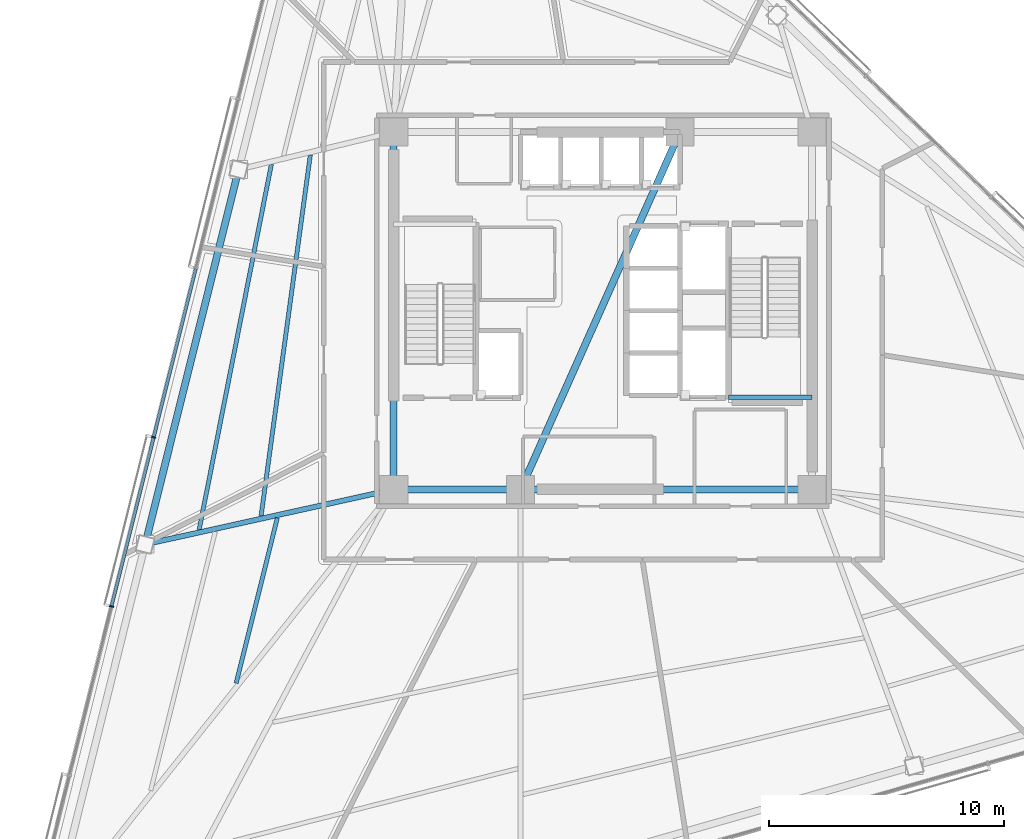
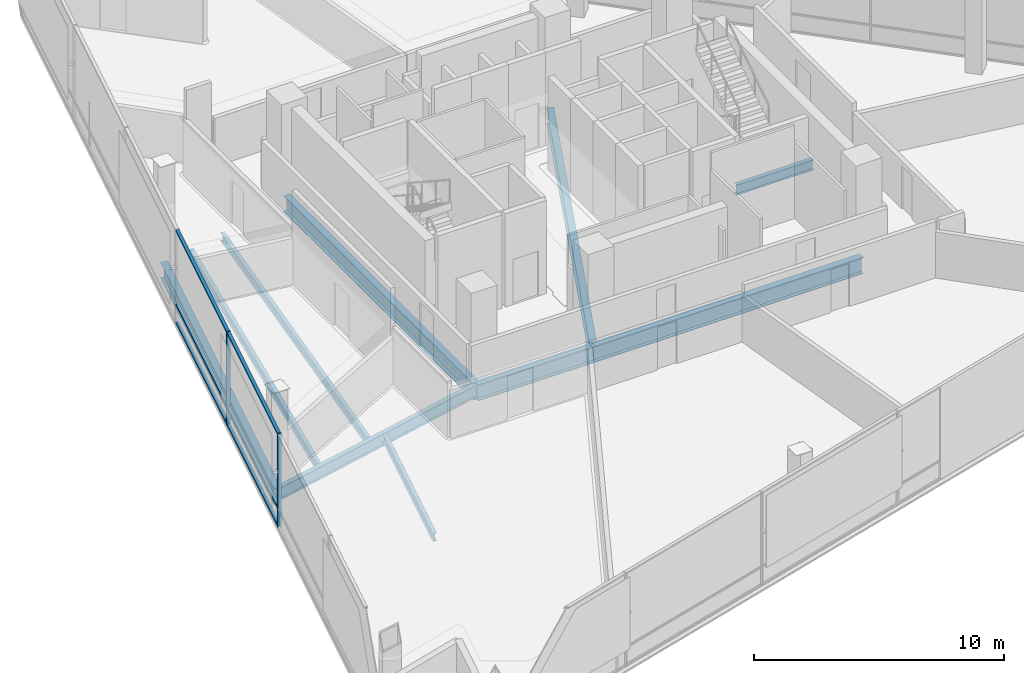
# One storey, part 4 of 18: 10 beams, 8 members, 1 element without a shape of its own.
"""IFC4 building model written with IfcOpenShell, lengths in metres."""

from ifc_helpers import new_model, si_unit, direction, frame, origin, origin_2d, place, context, subcontext, project, spatial, rectangle, i_section, extrude, material, layer, layer_set, material_profile, profile_set, type_object, element, aggregate, save


model = new_model("IFC4")

# Units and contexts
model_context = context("Model", 3, precision=1e-05, world=origin(), true_north=direction((0.0, 1.0)))
body_context = subcontext(model_context, "Body", "Model", "MODEL_VIEW")
ifc_project = project(units=[si_unit("LENGTHUNIT", "METRE"), si_unit("AREAUNIT", "SQUARE_METRE"), si_unit("VOLUMEUNIT", "CUBIC_METRE"), si_unit("PLANEANGLEUNIT", "RADIAN"), si_unit("MASSUNIT", "GRAM", prefix="KILO")], contexts=[model_context])

# Site, building, storey
site_placement = place(None, origin())
site = spatial("IfcSite", under=ifc_project, at=site_placement, CompositionType="ELEMENT")
building_placement = place(site_placement, origin())
building = spatial("IfcBuilding", under=site, at=building_placement, Name="Tharavind Bronze Gate", CompositionType="ELEMENT")
storey_placement = place(building_placement, frame((0.0, 0.0, 107.699951171875)))
storey = spatial("IfcBuildingStorey", under=building, at=storey_placement, Name="L27", CompositionType="ELEMENT", Elevation=107.699951171875)

# Curtain wall, members
ifc_material_1 = material(Name="Anodised Bronze Aluminium", Category="aluminium")
ifc_layer = layer(ifc_material_1, 0.219970703125)
ifc_layer_set = layer_set([ifc_layer], Name="Anodised Bronze Aluminium")
curtain_wall_type = type_object("IfcCurtainWallType", Name="UNITISED CURTAIN WALL LOWER OFFICE", PredefinedType="USERDEFINED", material=ifc_layer_set)
curtain_wall_placement = place(storey_placement, origin())
curtain_wall = element("IfcCurtainWall", 1, at=curtain_wall_placement, inside=storey, type_object=curtain_wall_type, Name="L27 unitised curtain wall lower office CW-L27-S1", ObjectType="UNITISED CURTAIN WALL", PredefinedType="USERDEFINED")
member_type_1 = type_object("IfcMemberType", Name="CURTAIN WALL BRONZE MULLION 65X180", PredefinedType="MULLION", material=ifc_material_1)
member_1_placement = place(storey_placement, frame((-19.1083984375, -5.381591796875, 0.0), z_axis=(0.0, 0.0, 1.0), x_axis=(-0.2419218956, -0.970295726276, 0.0)))
member_1 = element("IfcMember", 2, at=member_1_placement, type_object=member_type_1, Name="CW-L27-S1 mullion 5", PredefinedType="MULLION", context=body_context, shape_type="SweptSolid", body=[
    extrude(rectangle(XDim=0.06494140625, YDim=0.179931640625, at=origin_2d()), origin(), (0.0, 0.0, 1.0), 4.56005859375),
])
member_2_placement = place(storey_placement, frame((-20.902099609375, -12.57568359375, 0.0), z_axis=(0.0, 0.0, 1.0), x_axis=(-0.2419218956, -0.970295726276, 0.0)))
member_2 = element("IfcMember", 3, at=member_2_placement, type_object=member_type_1, Name="CW-L27-S1 mullion 6", PredefinedType="MULLION", context=body_context, shape_type="SweptSolid", body=[
    extrude(rectangle(XDim=0.06494140625, YDim=0.179931640625, at=origin_2d()), origin(), (0.0, 0.0, 1.0), 4.56005859375),
])
member_type_2 = type_object("IfcMemberType", Name="CURTAIN WALL BRONZE TRANSOM 65X140", PredefinedType="USERDEFINED", material=ifc_material_1)
member_3_placement = place(storey_placement, frame((-18.21142578125, -1.78466796875, 0.0), z_axis=(0.0, 0.0, 1.0), x_axis=(-0.2419218956, -0.970295726276, 0.0)))
member_3 = element("IfcMember", 4, at=member_3_placement, type_object=member_type_2, Name="CW-L27-S1 transom TB4", ObjectType="TRANSOM", PredefinedType="USERDEFINED", context=body_context, shape_type="SweptSolid", body=[
    extrude(rectangle(XDim=7.361083984375, YDim=0.139892578125, at=origin_2d()), origin(), (0.0, 0.0, 1.0), 0.06494140625),
])
member_4_placement = place(storey_placement, frame((-18.21142578125, -1.78466796875, 0.86767578125), z_axis=(0.0, 0.0, 1.0), x_axis=(-0.2419218956, -0.970295726276, 0.0)))
member_4 = element("IfcMember", 5, at=member_4_placement, type_object=member_type_2, Name="CW-L27-S1 transom TS4", ObjectType="TRANSOM", PredefinedType="USERDEFINED", context=body_context, shape_type="SweptSolid", body=[
    extrude(rectangle(XDim=7.361083984375, YDim=0.139892578125, at=origin_2d()), origin(), (0.0, 0.0, 1.0), 0.06494140625),
])
member_5_placement = place(storey_placement, frame((-18.21142578125, -1.78466796875, 4.4951171875), z_axis=(0.0, 0.0, 1.0), x_axis=(-0.2419218956, -0.970295726276, 0.0)))
member_5 = element("IfcMember", 6, at=member_5_placement, type_object=member_type_2, Name="CW-L27-S1 transom TT4", ObjectType="TRANSOM", PredefinedType="USERDEFINED", context=body_context, shape_type="SweptSolid", body=[
    extrude(rectangle(XDim=7.361083984375, YDim=0.139892578125, at=origin_2d()), origin(), (0.0, 0.0, 1.0), 0.06494140625),
])
member_6_placement = place(storey_placement, frame((-20.005126953125, -8.978759765625, 0.0), z_axis=(0.0, 0.0, 1.0), x_axis=(-0.2419218956, -0.970295726276, 0.0)))
member_6 = element("IfcMember", 7, at=member_6_placement, type_object=member_type_2, Name="CW-L27-S1 transom TB5", ObjectType="TRANSOM", PredefinedType="USERDEFINED", context=body_context, shape_type="SweptSolid", body=[
    extrude(rectangle(XDim=7.361083984375, YDim=0.139892578125, at=origin_2d()), origin(), (0.0, 0.0, 1.0), 0.06494140625),
])
member_7_placement = place(storey_placement, frame((-20.005126953125, -8.978759765625, 0.86767578125), z_axis=(0.0, 0.0, 1.0), x_axis=(-0.2419218956, -0.970295726276, 0.0)))
member_7 = element("IfcMember", 8, at=member_7_placement, type_object=member_type_2, Name="CW-L27-S1 transom TS5", ObjectType="TRANSOM", PredefinedType="USERDEFINED", context=body_context, shape_type="SweptSolid", body=[
    extrude(rectangle(XDim=7.361083984375, YDim=0.139892578125, at=origin_2d()), origin(), (0.0, 0.0, 1.0), 0.06494140625),
])
member_8_placement = place(storey_placement, frame((-20.005126953125, -8.978759765625, 4.4951171875), z_axis=(0.0, 0.0, 1.0), x_axis=(-0.2419218956, -0.970295726276, 0.0)))
member_8 = element("IfcMember", 9, at=member_8_placement, type_object=member_type_2, Name="CW-L27-S1 transom TT5", ObjectType="TRANSOM", PredefinedType="USERDEFINED", context=body_context, shape_type="SweptSolid", body=[
    extrude(rectangle(XDim=7.361083984375, YDim=0.139892578125, at=origin_2d()), origin(), (0.0, 0.0, 1.0), 0.06494140625),
])
aggregate(curtain_wall, [member_1, member_2, member_3, member_4, member_5, member_6, member_7, member_8])

# Beams
ifc_material_2 = material(Name="Steel S355", Category="steel")
ifc_material_profile_1 = material_profile(ifc_material_2, i_section(OverallWidth=0.199951171875, OverallDepth=0.5, WebThickness=0.01025390625, FlangeThickness=0.01611328125, at=origin_2d()), Name="IPE500")
ifc_profile_set_1 = profile_set([ifc_material_profile_1], Name="Steel S355")
beam_type_1 = type_object("IfcBeamType", Name="PRIMARY GIRDER IPE500", PredefinedType="USERDEFINED", material=ifc_profile_set_1)
beam_1_placement = place(storey_placement, frame((5.35009765625, -3.679931640625, 1.925048828125), z_axis=(1.0, 0.0, 0.0), x_axis=(0.0, 1.0, 0.0)))
element("IfcBeam", 10, at=beam_1_placement, inside=storey, type_object=beam_type_1, Name="L27 primary girder ipe500 BM-LD-ST2-L27-1", ObjectType="GIRDER", PredefinedType="USERDEFINED", context=body_context, shape_type="SweptSolid", body=[
    extrude(i_section(OverallWidth=0.199951171875, OverallDepth=0.5, WebThickness=0.01025390625, FlangeThickness=0.01611328125, at=origin_2d()), origin(), (0.0, 0.0, 1.0), 3.5498046875),
])
ifc_material_profile_2 = material_profile(ifc_material_2, i_section(OverallWidth=0.219970703125, OverallDepth=0.60009765625, WebThickness=0.011962890625, FlangeThickness=0.01904296875, at=origin_2d()), Name="IPE600")
ifc_profile_set_2 = profile_set([ifc_material_profile_2], Name="Steel S355")
beam_type_2 = type_object("IfcBeamType", Name="PRIMARY GIRDER IPE600", PredefinedType="USERDEFINED", material=ifc_profile_set_2)
beam_2_placement = place(storey_placement, frame((-19.4716796875, -9.93896484375, -0.489990234375), z_axis=(0.97639036101, 0.216013571162, 0.0), x_axis=(-0.216013571162, 0.97639036101, 0.0)))
element("IfcBeam", 11, at=beam_2_placement, inside=storey, type_object=beam_type_2, Name="L27 primary girder ipe600 BM-L27-RAD03", ObjectType="GIRDER", PredefinedType="USERDEFINED", context=body_context, shape_type="SweptSolid", body=[
    extrude(i_section(OverallWidth=0.219970703125, OverallDepth=0.60009765625, WebThickness=0.011962890625, FlangeThickness=0.01904296875, at=origin_2d()), origin(), (0.0, 0.0, 1.0), 10.827392578125),
])
ifc_material_profile_3 = material_profile(ifc_material_2, i_section(OverallWidth=0.300048828125, OverallDepth=0.800048828125, WebThickness=0.017578125, FlangeThickness=0.032958984375, at=origin_2d()), Name="HE800B")
ifc_profile_set_3 = profile_set([ifc_material_profile_3], Name="Steel S355")
beam_type_3 = type_object("IfcBeamType", Name="RING GIRDER HE800B", PredefinedType="USERDEFINED", material=ifc_profile_set_3)
beam_3_placement = place(storey_placement, frame((-8.89990234375, -7.60009765625, -0.58984375), z_axis=(1.0, 0.0, 0.0), x_axis=(0.0, 1.0, 0.0)))
element("IfcBeam", 12, at=beam_3_placement, inside=storey, type_object=beam_type_3, Name="L27 ring girder he800b BM-L27-CR1", ObjectType="GIRDER", PredefinedType="USERDEFINED", context=body_context, shape_type="SweptSolid", body=[
    extrude(i_section(OverallWidth=0.300048828125, OverallDepth=0.800048828125, WebThickness=0.017578125, FlangeThickness=0.032958984375, at=origin_2d()), origin(), (0.0, 0.0, 1.0), 5.39990234375),
])
beam_4_placement = place(storey_placement, frame((-3.5, -7.60009765625, -0.58984375), z_axis=(1.0, 0.0, 0.0), x_axis=(0.0, 1.0, 0.0)))
element("IfcBeam", 13, at=beam_4_placement, inside=storey, type_object=beam_type_3, Name="L27 ring girder he800b BM-L27-CR2", ObjectType="GIRDER", PredefinedType="USERDEFINED", context=body_context, shape_type="SweptSolid", body=[
    extrude(i_section(OverallWidth=0.300048828125, OverallDepth=0.800048828125, WebThickness=0.017578125, FlangeThickness=0.032958984375, at=origin_2d()), origin(), (0.0, 0.0, 1.0), 12.39990234375),
])
beam_5_placement = place(storey_placement, frame((-8.89990234375, 7.60009765625, -0.58984375), z_axis=(0.0, -1.0, 0.0), x_axis=(1.0, 0.0, 0.0)))
element("IfcBeam", 14, at=beam_5_placement, inside=storey, type_object=beam_type_3, Name="L27 ring girder he800b BM-L27-CR6", ObjectType="GIRDER", PredefinedType="USERDEFINED", context=body_context, shape_type="SweptSolid", body=[
    extrude(i_section(OverallWidth=0.300048828125, OverallDepth=0.800048828125, WebThickness=0.017578125, FlangeThickness=0.032958984375, at=origin_2d()), origin(), (0.0, 0.0, 1.0), 15.2001953125),
])
beam_6_placement = place(storey_placement, frame((-3.5, -7.60009765625, -0.58984375), z_axis=(0.407361644566, 0.913266932795, 0.0), x_axis=(-0.913266932795, 0.407361644566, 0.0)))
element("IfcBeam", 15, at=beam_6_placement, inside=storey, type_object=beam_type_3, Name="L27 ring girder he800b BM-L27-CR7", ObjectType="GIRDER", PredefinedType="USERDEFINED", context=body_context, shape_type="SweptSolid", body=[
    extrude(i_section(OverallWidth=0.300048828125, OverallDepth=0.800048828125, WebThickness=0.017578125, FlangeThickness=0.032958984375, at=origin_2d()), origin(), (0.0, 0.0, 1.0), 16.643798828125),
])
beam_7_placement = place(storey_placement, frame((-15.495849609375, 6.006591796875, -0.58984375), z_axis=(-0.241930849107, -0.970293493872, 0.0), x_axis=(0.970293493872, -0.241930849107, 0.0)))
element("IfcBeam", 16, at=beam_7_placement, inside=storey, type_object=beam_type_3, Name="L27 ring girder he800b BM-L27-PRG02", ObjectType="GIRDER", PredefinedType="USERDEFINED", context=body_context, shape_type="SweptSolid", body=[
    extrude(i_section(OverallWidth=0.300048828125, OverallDepth=0.800048828125, WebThickness=0.017578125, FlangeThickness=0.032958984375, at=origin_2d()), origin(), (0.0, 0.0, 1.0), 16.433837890625),
])
ifc_material_profile_4 = material_profile(ifc_material_2, i_section(OverallWidth=0.179931640625, OverallDepth=0.39990234375, WebThickness=0.008544921875, FlangeThickness=0.013427734375, at=origin_2d()), Name="IPE400")
ifc_profile_set_4 = profile_set([ifc_material_profile_4], Name="Steel S355")
beam_type_4 = type_object("IfcBeamType", Name="SECONDARY FLOOR JOIST IPE400", PredefinedType="JOIST", material=ifc_profile_set_4)
beam_8_placement = place(storey_placement, frame((-12.4453125, 6.626708984375, -0.389892578125), z_axis=(-0.135096335488, -0.99083246825, 0.0), x_axis=(0.99083246825, -0.135096335488, 0.0)))
element("IfcBeam", 17, at=beam_8_placement, inside=storey, type_object=beam_type_4, Name="L27 secondary floor joist ipe400 BM-L27-JSTA02", PredefinedType="JOIST", context=body_context, shape_type="SweptSolid", body=[
    extrude(i_section(OverallWidth=0.179931640625, OverallDepth=0.39990234375, WebThickness=0.008544921875, FlangeThickness=0.013427734375, at=origin_2d()), origin(), (0.0, 0.0, 1.0), 15.5),
])
beam_9_placement = place(storey_placement, frame((-14.10205078125, 6.2265625, -0.389892578125), z_axis=(-0.193949205751, -0.981011572607, 0.0), x_axis=(0.981011572607, -0.193949205751, 0.0)))
element("IfcBeam", 18, at=beam_9_placement, inside=storey, type_object=beam_type_4, Name="L27 secondary floor joist ipe400 BM-L27-JSTB02", PredefinedType="JOIST", context=body_context, shape_type="SweptSolid", body=[
    extrude(i_section(OverallWidth=0.179931640625, OverallDepth=0.39990234375, WebThickness=0.008544921875, FlangeThickness=0.013427734375, at=origin_2d()), origin(), (0.0, 0.0, 1.0), 15.841796875),
])
beam_10_placement = place(storey_placement, frame((-13.846435546875, -8.810791015625, -0.389892578125), z_axis=(-0.241933025088, -0.970292951315, 0.0), x_axis=(0.970292951315, -0.241933025088, 0.0)))
element("IfcBeam", 19, at=beam_10_placement, inside=storey, type_object=beam_type_4, Name="L27 secondary floor joist ipe400 BM-L27-JSTA03", PredefinedType="JOIST", context=body_context, shape_type="SweptSolid", body=[
    extrude(i_section(OverallWidth=0.179931640625, OverallDepth=0.39990234375, WebThickness=0.008544921875, FlangeThickness=0.013427734375, at=origin_2d()), origin(), (0.0, 0.0, 1.0), 7.24560546875),
])

save(model, "model.ifc")
